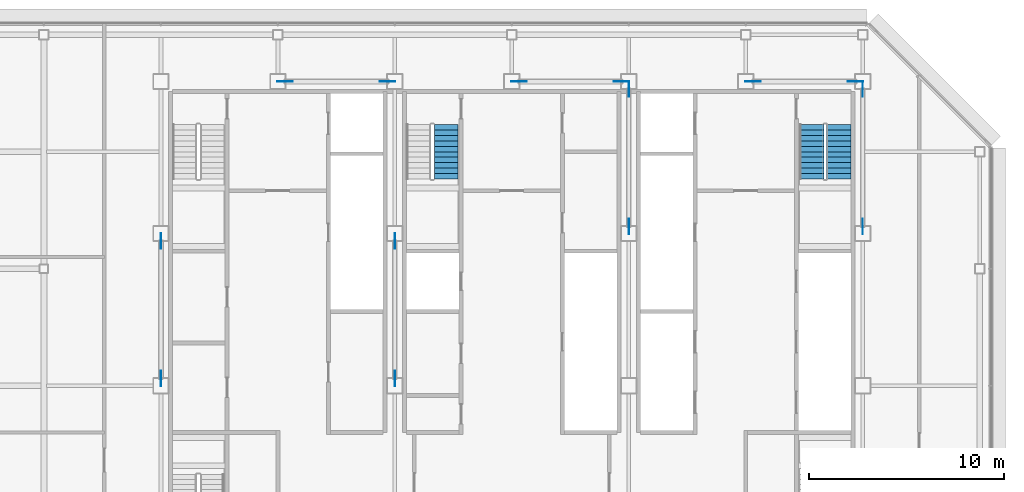
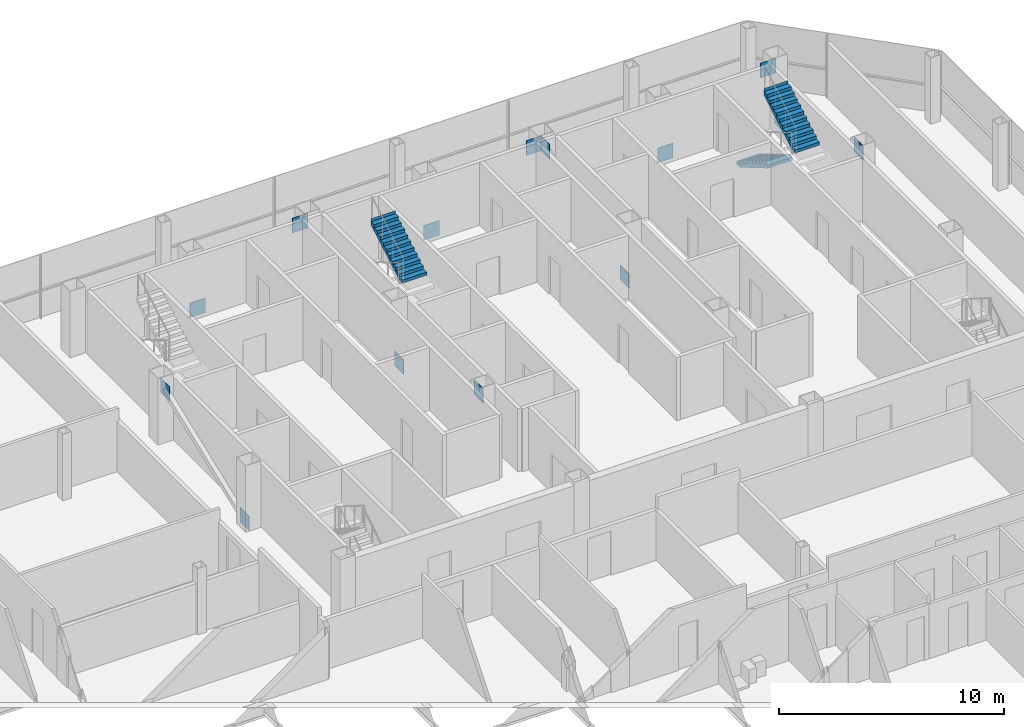
# One storey, part 26 of 28: 14 discrete accessories, 3 stair flights, 2 elements without a shape of their own.
"""IFC4 building model written with IfcOpenShell, lengths in metres."""

from ifc_helpers import new_model, si_unit, direction, frame, origin, origin_2d, place, context, subcontext, project, spatial, polyline, rectangle, outline, extrude, material, layer, layer_set, type_object, element, aggregate, save


model = new_model("IFC4")

# Units and contexts
model_context = context("Model", 3, precision=1e-05, world=origin(), true_north=direction((0.0, 1.0)))
body_context = subcontext(model_context, "Body", "Model", "MODEL_VIEW")
ifc_project = project(units=[si_unit("LENGTHUNIT", "METRE"), si_unit("AREAUNIT", "SQUARE_METRE"), si_unit("VOLUMEUNIT", "CUBIC_METRE"), si_unit("PLANEANGLEUNIT", "RADIAN"), si_unit("MASSUNIT", "GRAM", prefix="KILO")], contexts=[model_context])

# Site, building, storey
site_placement = place(None, origin())
site = spatial("IfcSite", under=ifc_project, at=site_placement, CompositionType="ELEMENT")
building_placement = place(site_placement, origin())
building = spatial("IfcBuilding", under=site, at=building_placement, Name="Sorahane Residences", CompositionType="ELEMENT")
storey_placement = place(building_placement, frame((0.0, 0.0, 305.199951171875)))
storey = spatial("IfcBuildingStorey", under=building, at=storey_placement, Name="L72", CompositionType="ELEMENT", Elevation=305.199951171875)

# Stair, stair flights
ifc_material_1 = material(Name="Concrete C40", Category="concrete")
stair_type = type_object("IfcStairType", Name="Dog-leg stair 1250 Concrete C40", PredefinedType="HALF_TURN_STAIR", material=ifc_material_1)
stair_1_placement = place(storey_placement, origin())
stair_1 = element("IfcStair", 1, at=stair_1_placement, inside=storey, type_object=stair_type, Name="L72 Stair S2", PredefinedType="HALF_TURN_STAIR")
ifc_material_2 = material(Name="Concrete C40", Category="concrete")
stair_flight_type = type_object("IfcStairFlightType", Name="Stair flight 1250 Concrete C40", PredefinedType="STRAIGHT", material=ifc_material_2)
stair_flight_1_placement = place(storey_placement, frame((39.375, 43.39990234375, 0.0), z_axis=(0.0, 0.0, 1.0), x_axis=(0.0, -1.0, 0.0)))
stair_flight_1 = element("IfcStairFlight", 2, at=stair_flight_1_placement, type_object=stair_flight_type, Name="S2 flight 1", NumberOfRisers=11, NumberOfTreads=10, PredefinedType="STRAIGHT", RiserHeight=0.163636364, TreadLength=0.28, context=body_context, shape_type="SweptSolid", body=[
    extrude(outline(polyline([(-0.00146484375, 0.0), (-0.00146484375, 0.16357421875), (0.0, 0.16357421875), (0.280029296875, 0.16357421875), (0.280029296875, 0.327392578125), (0.56005859375, 0.327392578125), (0.56005859375, 0.490966796875), (0.840087890625, 0.490966796875), (0.840087890625, 0.654541015625), (1.1201171875, 0.654541015625), (1.1201171875, 0.818115234375), (1.39990234375, 0.818115234375), (1.39990234375, 0.98193359375), (1.679931640625, 0.98193359375), (1.679931640625, 1.1455078125), (1.9599609375, 1.1455078125), (1.9599609375, 1.30908203125), (2.239990234375, 1.30908203125), (2.239990234375, 1.47265625), (2.52001953125, 1.47265625), (2.52001953125, 1.636474609375), (2.800048828125, 1.636474609375), (2.800048828125, 1.800048828125), (2.800048828125, 1.462646484375), (2.59130859375, 1.3408203125), (2.3828125, 1.218994140625), (2.17431640625, 1.09716796875), (1.965576171875, 0.97509765625), (1.757080078125, 0.853271484375), (1.548583984375, 0.7314453125), (1.340087890625, 0.609375), (1.13134765625, 0.487548828125), (0.9228515625, 0.36572265625), (0.71435546875, 0.243896484375), (0.505615234375, 0.121826171875), (0.297119140625, 0.0), (-0.00146484375, 0.0)])), frame((0.0, 0.625, 0.0), z_axis=(0.0, -1.0, 0.0), x_axis=(1.0, 0.0, 0.0)), (0.0, 0.0, 1.0), 1.25),
])
stair_flight_2_placement = place(storey_placement, frame((40.77490234375, 40.60009765625, 1.800048828125), z_axis=(0.0, 0.0, 1.0), x_axis=(0.0, 1.0, 0.0)))
stair_flight_2 = element("IfcStairFlight", 3, at=stair_flight_2_placement, type_object=stair_flight_type, Name="S2 flight 2", NumberOfRisers=11, NumberOfTreads=10, PredefinedType="STRAIGHT", RiserHeight=0.163636364, TreadLength=0.28, context=body_context, shape_type="SweptSolid", body=[
    extrude(outline(polyline([(0.0, 0.0), (0.0, 0.16357421875), (0.280029296875, 0.16357421875), (0.280029296875, 0.327392578125), (0.56005859375, 0.327392578125), (0.56005859375, 0.490966796875), (0.840087890625, 0.490966796875), (0.840087890625, 0.654541015625), (1.1201171875, 0.654541015625), (1.1201171875, 0.818115234375), (1.39990234375, 0.818115234375), (1.39990234375, 0.98193359375), (1.679931640625, 0.98193359375), (1.679931640625, 1.1455078125), (1.9599609375, 1.1455078125), (1.9599609375, 1.30908203125), (2.239990234375, 1.30908203125), (2.239990234375, 1.47265625), (2.52001953125, 1.47265625), (2.52001953125, 1.636474609375), (2.800048828125, 1.636474609375), (2.800048828125, 1.800048828125), (2.801513671875, 1.800048828125), (2.801513671875, 1.462646484375), (2.5927734375, 1.3408203125), (2.384033203125, 1.218994140625), (2.17529296875, 1.09716796875), (1.966796875, 0.97509765625), (1.758056640625, 0.853271484375), (1.54931640625, 0.7314453125), (1.340576171875, 0.609375), (1.1318359375, 0.487548828125), (0.923095703125, 0.36572265625), (0.714599609375, 0.243896484375), (0.505859375, 0.121826171875), (0.297119140625, 0.0), (0.0, 0.0)])), frame((0.0, 0.625, 0.0), z_axis=(0.0, -1.0, 0.0), x_axis=(1.0, 0.0, 0.0)), (0.0, 0.0, 1.0), 1.25),
])
aggregate(stair_1, [stair_flight_1, stair_flight_2])

# Stair, stair flight
stair_2_placement = place(storey_placement, origin())
stair_2 = element("IfcStair", 4, at=stair_2_placement, inside=storey, type_object=stair_type, Name="L72 Stair S3", PredefinedType="HALF_TURN_STAIR")
stair_flight_3_placement = place(storey_placement, frame((20.625, 40.60009765625, 1.800048828125), z_axis=(0.0, 0.0, 1.0), x_axis=(0.0, 1.0, 0.0)))
stair_flight_3 = element("IfcStairFlight", 5, at=stair_flight_3_placement, type_object=stair_flight_type, Name="S3 flight 2", NumberOfRisers=11, NumberOfTreads=10, PredefinedType="STRAIGHT", RiserHeight=0.163636364, TreadLength=0.28, context=body_context, shape_type="SweptSolid", body=[
    extrude(outline(polyline([(0.0, 0.0), (0.0, 0.16357421875), (0.280029296875, 0.16357421875), (0.280029296875, 0.327392578125), (0.56005859375, 0.327392578125), (0.56005859375, 0.490966796875), (0.840087890625, 0.490966796875), (0.840087890625, 0.654541015625), (1.1201171875, 0.654541015625), (1.1201171875, 0.818115234375), (1.39990234375, 0.818115234375), (1.39990234375, 0.98193359375), (1.679931640625, 0.98193359375), (1.679931640625, 1.1455078125), (1.9599609375, 1.1455078125), (1.9599609375, 1.30908203125), (2.239990234375, 1.30908203125), (2.239990234375, 1.47265625), (2.52001953125, 1.47265625), (2.52001953125, 1.636474609375), (2.800048828125, 1.636474609375), (2.800048828125, 1.800048828125), (2.801513671875, 1.800048828125), (2.801513671875, 1.462646484375), (2.5927734375, 1.3408203125), (2.384033203125, 1.218994140625), (2.17529296875, 1.09716796875), (1.966796875, 0.97509765625), (1.758056640625, 0.853271484375), (1.54931640625, 0.7314453125), (1.340576171875, 0.609375), (1.1318359375, 0.487548828125), (0.923095703125, 0.36572265625), (0.714599609375, 0.243896484375), (0.505859375, 0.121826171875), (0.297119140625, 0.0), (0.0, 0.0)])), frame((0.0, 0.625, 0.0), z_axis=(0.0, -1.0, 0.0), x_axis=(1.0, 0.0, 0.0)), (0.0, 0.0, 1.0), 1.25),
])
aggregate(stair_2, [stair_flight_3])

# Discrete accessories
ifc_material_3 = material(Name="Steel Q355B", Category="steel")
ifc_layer = layer(ifc_material_3, 0.02490234375)
ifc_layer_set = layer_set([ifc_layer], Name="Node plate Steel Q355B 25")
discrete_accessory_type = type_object("IfcDiscreteAccessoryType", Name="Node plate Steel Q355B 25", PredefinedType="BRACKET", material=ifc_layer_set)
for number, where, z_axis, x_axis, name in (
    (6, (6.0, 30.372802734375, -0.28564453125), (0.0, 0.0, 1.0), (0.0, 1.0, 0.0), "Node plate L72 br"),
    (7, (6.0, 37.42724609375, 2.45556640625), (0.0, 0.0, 1.0), (0.0, 1.0, 0.0), "Node plate L72 br"),
    (8, (18.0, 37.42724609375, -0.28564453125), (0.0, 0.0, 1.0), (0.0, 1.0, 0.0), "Node plate L72 br"),
    (9, (18.0, 30.372802734375, 2.45556640625), (0.0, 0.0, 1.0), (0.0, 1.0, 0.0), "Node plate L72 br"),
    (10, (30.0, 38.1728515625, -0.28564453125), (0.0, 0.0, 1.0), (0.0, 1.0, 0.0), "Node plate L72 br"),
    (11, (30.0, 45.227294921875, 2.45556640625), (0.0, 0.0, 1.0), (0.0, 1.0, 0.0), "Node plate L72 br"),
    (12, (42.0, 45.227294921875, -0.28564453125), (0.0, 0.0, 1.0), (0.0, 1.0, 0.0), "Node plate L72 br"),
    (13, (42.0, 38.1728515625, 2.45556640625), (0.0, 0.0, 1.0), (0.0, 1.0, 0.0), "Node plate L72 br"),
    (14, (12.365234375, 45.60009765625, -0.29296875), (0.0, 0.0, 1.0), (1.0, 0.0, 0.0), "Node plate L72 br"),
    (15, (24.365234375, 45.60009765625, -0.29296875), (0.0, 0.0, 1.0), (1.0, 0.0, 0.0), "Node plate L72 br"),
    (16, (36.365234375, 45.60009765625, -0.29296875), (0.0, 0.0, 1.0), (1.0, 0.0, 0.0), "Node plate L72 br"),
    (17, (17.634765625, 45.60009765625, 2.46337890625), (0.0, 0.0, 1.0), (1.0, 0.0, 0.0), "Node plate L72 br"),
    (18, (29.634765625, 45.60009765625, 2.46337890625), (0.0, 0.0, 1.0), (1.0, 0.0, 0.0), "Node plate L72 br"),
    (19, (41.634765625, 45.60009765625, 2.46337890625), (0.0, 0.0, 1.0), (1.0, 0.0, 0.0), "Node plate L72 br"),
):
    element("IfcDiscreteAccessory", number, at=place(storey_placement, frame(where, z_axis=z_axis, x_axis=x_axis)), inside=storey, type_object=discrete_accessory_type, Name=name, PredefinedType="BRACKET", context=body_context, shape_type="SweptSolid", body=[
        extrude(rectangle(XDim=0.800048828125, YDim=0.02490234375, at=origin_2d()), origin(), (0.0, 0.0, 1.0), 0.800048828125),
    ])

save(model, "model.ifc")
